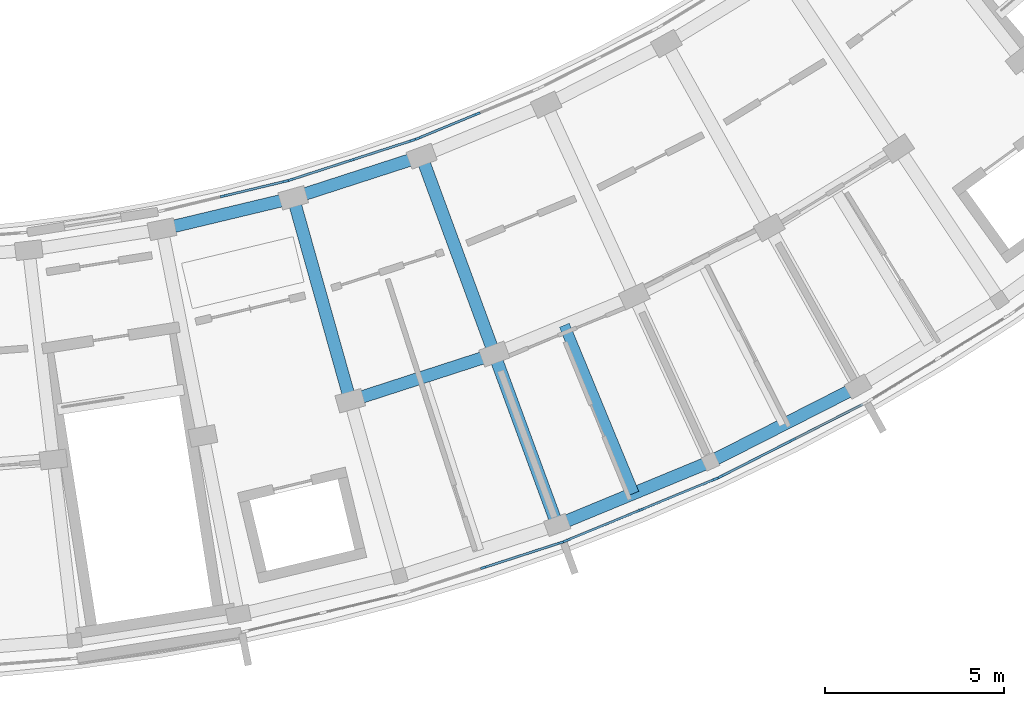
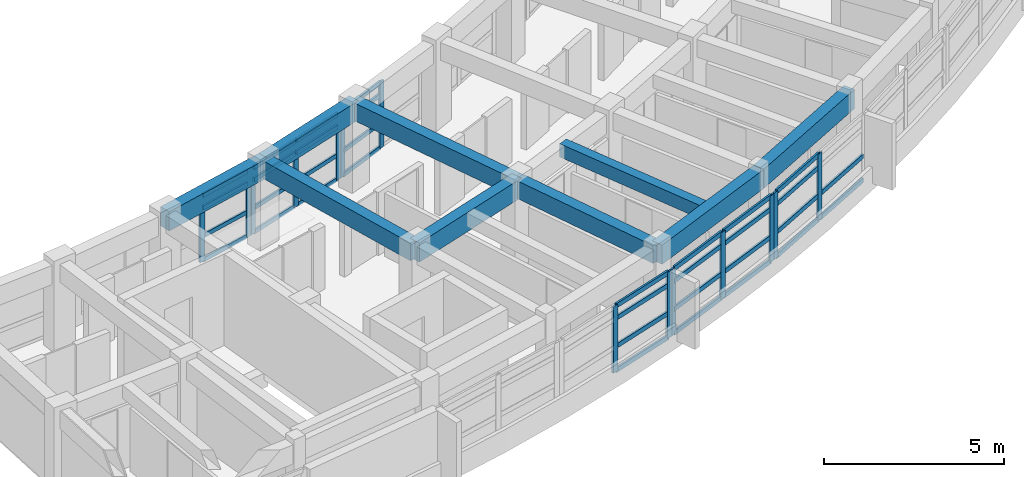
# One storey, part 17 of 54: 48 members, 9 beams, 6 elements without a shape of their own.
"""IFC4 building model written with IfcOpenShell, lengths in metres."""

import ifcopenshell
import ifcopenshell.guid

model = None  # the IFC model being written
_history = None  # IfcOwnerHistory: only IFC2X3 demands one
_inside = {}  # id of a spatial element -> (the spatial element, [elements in it])
_under = {}  # id of a project, library or spatial element -> (it, [spatial elements below it])
_declared = {}  # id of a project -> (the project, [libraries it declares])
_typed = {}  # id of a type object -> (the type object, [elements of that type])
_made_of = {}  # id of a material, layer set ... -> (it, [elements and type objects made of it])


def new_model(schema):
    """Start an empty IFC model of exactly this schema.

    Asked for "IFC4X3", IfcOpenShell would pick the latest addendum, in which some entities
    have other attributes; the version numbers below select the first issue.
    IFC2X3 requires an IfcOwnerHistory on every rooted entity: one is made here for all.
    """
    global model, _history
    if schema == "IFC4X3":
        model = ifcopenshell.file(schema_version=(4, 3, 0, 0))
    else:
        model = ifcopenshell.file(schema=schema)
    _inside.clear()
    _under.clear()
    _declared.clear()
    _typed.clear()
    _made_of.clear()
    _history = None
    if model.schema == "IFC2X3":
        org = make("IfcOrganization", Name="unknown")
        user = make(
            "IfcPersonAndOrganization",
            ThePerson=make("IfcPerson", FamilyName="unknown"),
            TheOrganization=org,
        )
        app = make(
            "IfcApplication",
            ApplicationDeveloper=org,
            Version="unknown",
            ApplicationFullName="unknown",
            ApplicationIdentifier="unknown",
        )
        _history = make(
            "IfcOwnerHistory",
            OwningUser=user,
            OwningApplication=app,
            ChangeAction="ADDED",
            CreationDate=0,
        )
    return model


def make(cls, **values):
    """One entity of the class cls with the attributes given. An attribute that is None is left unset."""
    return model.create_entity(
        cls, **{name: value for name, value in values.items() if value is not None}
    )


def rooted(cls, **values):
    """An entity with a GlobalId (a new one), such as an element, a storey or a relation."""
    return make(cls, GlobalId=ifcopenshell.guid.new(), OwnerHistory=_history, **values)


def si_unit(unit_type, name, prefix=None):
    """IfcSIUnit, for example si_unit("LENGTHUNIT", "METRE", prefix="MILLI")."""
    return make("IfcSIUnit", UnitType=unit_type, Prefix=prefix, Name=name)


def assignment(units):
    """IfcUnitAssignment: the units of a project."""
    return None if units is None else make("IfcUnitAssignment", Units=units)


def point(xyz):
    """IfcCartesianPoint."""
    return None if xyz is None else make("IfcCartesianPoint", Coordinates=xyz)


def direction(xyz):
    """IfcDirection."""
    return None if xyz is None else make("IfcDirection", DirectionRatios=xyz)


def frame(location, z_axis=None, x_axis=None):
    """IfcAxis2Placement3D, a coordinate frame: its origin and axes. An axis left out is left unset."""
    return make(
        "IfcAxis2Placement3D",
        Location=point(location),
        Axis=direction(z_axis),
        RefDirection=direction(x_axis),
    )


def frame_2d(location, x_axis=None):
    """IfcAxis2Placement2D, a coordinate frame in the plane: its origin and x axis."""
    return make(
        "IfcAxis2Placement2D", Location=point(location), RefDirection=direction(x_axis)
    )


def origin():
    """The frame at (0, 0, 0) with its axes left unset."""
    return frame((0.0, 0.0, 0.0))


def origin_2d():
    """The frame at (0, 0) in the plane with its x axis left unset."""
    return frame_2d((0.0, 0.0))


def place(relative_to, where):
    """IfcLocalPlacement: puts the frame where relative to a parent placement (None: the world)."""
    return make(
        "IfcLocalPlacement", PlacementRelTo=relative_to, RelativePlacement=where
    )


def context(
    kind, dimensions, precision=None, world=None, true_north=None, identifier=None
):
    """IfcGeometricRepresentationContext, for example the 3D "Model" context."""
    return make(
        "IfcGeometricRepresentationContext",
        ContextIdentifier=identifier,
        ContextType=kind,
        CoordinateSpaceDimension=dimensions,
        Precision=precision,
        WorldCoordinateSystem=world,
        TrueNorth=true_north,
    )


def subcontext(parent, identifier, kind, view, scale=None):
    """IfcGeometricRepresentationSubContext, for example "Body" below "Model"."""
    return make(
        "IfcGeometricRepresentationSubContext",
        ContextIdentifier=identifier,
        ContextType=kind,
        ParentContext=parent,
        TargetScale=scale,
        TargetView=view,
    )


def project(units=None, contexts=None):
    """IfcProject with its units and contexts."""
    return rooted(
        "IfcProject",
        Name="project",
        RepresentationContexts=contexts,
        UnitsInContext=assignment(units),
    )


def spatial(cls, under=None, at=None, **own):
    """A site, building, storey or space (cls), placed at a placement, below another one or the project."""
    s = rooted(cls, ObjectPlacement=at, **own)
    if under is not None:
        _under.setdefault(under.id(), (under, []))[1].append(s)
    return s


def profile(cls, at=None, kind="AREA", **sizes):
    """A parametric profile (cls). Its sizes go by their IFC names, for example OverallWidth=200.0."""
    return make(cls, ProfileType=kind, Position=at, **sizes)


def rectangle(**sizes):
    """IfcRectangleProfileDef."""
    return profile("IfcRectangleProfileDef", **sizes)


def extrude(swept, where, along, depth):
    """IfcExtrudedAreaSolid: the profile swept, set in the frame where, extruded along a direction by depth."""
    return make(
        "IfcExtrudedAreaSolid",
        SweptArea=swept,
        Position=where,
        ExtrudedDirection=direction(along),
        Depth=depth,
    )


def shape(context_of_items, identifier, shape_type, items):
    """IfcShapeRepresentation: the items that make up one representation, for example the "Body"."""
    return make(
        "IfcShapeRepresentation",
        ContextOfItems=context_of_items,
        RepresentationIdentifier=identifier,
        RepresentationType=shape_type,
        Items=items,
    )


def material(Name=None, Category=None):
    """IfcMaterial."""
    return make("IfcMaterial", Name=Name, Category=Category)


def material_profile(
    of_material, cross_section, Name=None, Category=None, Priority=None
):
    """IfcMaterialProfile: a cross section and its material."""
    return make(
        "IfcMaterialProfile",
        Name=Name,
        Material=of_material,
        Profile=cross_section,
        Priority=Priority,
        Category=Category,
    )


def profile_set(profiles, Name=None, composite=None):
    """IfcMaterialProfileSet."""
    return make(
        "IfcMaterialProfileSet",
        Name=Name,
        MaterialProfiles=profiles,
        CompositeProfile=composite,
    )


def made_of(thing, what):
    """Note that an element or type object is made of a material, layer set ...; save() writes the relation."""
    if what is not None:
        _made_of.setdefault(what.id(), (what, []))[1].append(thing)
    return thing


def type_object(cls, material=None, **own):
    """A type object (cls), such as IfcWallType, which elements share."""
    return made_of(rooted(cls, **own), material)


def element(
    cls,
    number,
    at=None,
    inside=None,
    cuts=None,
    type_object=None,
    material=None,
    context=None,
    identifier="Body",
    shape_type=None,
    held_by="IfcProductDefinitionShape",
    body=None,
    shapes=None,
    **own,
):
    """One element of the class cls, such as IfcWall. Its Tag is "e" and its number.

    at: its placement. inside: the storey or other place that contains it. cuts: it is an
    opening in that element (IfcRelVoidsElement). A single representation is given by context,
    identifier, shape_type and body (its items); several are given by shapes. held_by: the class
    of the entity that holds the representations. save() writes the other relations.
    """
    e = rooted(cls, Tag="e%d" % number, ObjectPlacement=at, **own)
    if body is not None:
        shapes = [shape(context, identifier, shape_type, body)]
    if shapes is not None:
        e.Representation = make(held_by, Representations=shapes)
    if inside is not None:
        _inside.setdefault(inside.id(), (inside, []))[1].append(e)
    if cuts is not None:
        rooted(
            "IfcRelVoidsElement", RelatingBuildingElement=cuts, RelatedOpeningElement=e
        )
    if type_object is not None:
        _typed.setdefault(type_object.id(), (type_object, []))[1].append(e)
    return made_of(e, material)


def aggregate(whole, parts):
    """IfcRelAggregates: a whole, such as a stair, and the parts it consists of."""
    return rooted("IfcRelAggregates", RelatingObject=whole, RelatedObjects=parts)


def save(model, path):
    """Write the relations noted so far, then the file.

    IfcRelAggregates (storeys below a building ...), IfcRelContainedInSpatialStructure (elements
    in a storey), IfcRelDefinesByType, IfcRelAssociatesMaterial and IfcRelDeclares: one each for
    every whole, place, type object, material and project.
    """
    for whole, parts in _under.values():
        aggregate(whole, parts)
    for where, things in _inside.values():
        rooted(
            "IfcRelContainedInSpatialStructure",
            RelatedElements=things,
            RelatingStructure=where,
        )
    for kind, things in _typed.values():
        rooted("IfcRelDefinesByType", RelatedObjects=things, RelatingType=kind)
    for what, things in _made_of.values():
        rooted("IfcRelAssociatesMaterial", RelatedObjects=things, RelatingMaterial=what)
    for by, libraries in _declared.values():
        rooted("IfcRelDeclares", RelatingContext=by, RelatedDefinitions=libraries)
    model.write(path)


model = new_model("IFC4")

# Units and contexts
model_context = context("Model", 3, precision=1e-05, world=origin(), true_north=direction((0.0, 1.0)))
body_context = subcontext(model_context, "Body", "Model", "MODEL_VIEW")
ifc_project = project(units=[si_unit("LENGTHUNIT", "METRE"), si_unit("AREAUNIT", "SQUARE_METRE"), si_unit("VOLUMEUNIT", "CUBIC_METRE"), si_unit("PLANEANGLEUNIT", "RADIAN"), si_unit("MASSUNIT", "GRAM", prefix="KILO")], contexts=[model_context])

# Site, building, storey
site_placement = place(None, origin())
site = spatial("IfcSite", under=ifc_project, at=site_placement, CompositionType="ELEMENT")
building_placement = place(site_placement, origin())
building = spatial("IfcBuilding", under=site, at=building_placement, Name="Zimvara Arc Housing Community", CompositionType="ELEMENT")
storey_placement = place(building_placement, frame((0.0, 0.0, 23.60009765625)))
storey = spatial("IfcBuildingStorey", under=building, at=storey_placement, Name="L07", CompositionType="ELEMENT", Elevation=23.60009765625)

# Beams
ifc_material_1 = material(Name="Concrete C40/50", Category="concrete")
ifc_material_profile_1 = material_profile(ifc_material_1, rectangle(XDim=0.300048828125, YDim=0.449951171875, at=origin_2d()), Name="RC 300x450")
ifc_profile_set_1 = profile_set([ifc_material_profile_1], Name="Concrete C40/50")
beam_type_1 = type_object("IfcBeamType", Name="BM-RC-300x450", PredefinedType="JOIST", material=ifc_profile_set_1)
beam_1_placement = place(storey_placement, frame((146.509033203125, 60.17578125, 2.69482421875), z_axis=(0.381881623909, -0.924211244966, 0.0), x_axis=(0.924211244966, 0.381881623909, 0.0)))
element("IfcBeam", 1, at=beam_1_placement, inside=storey, type_object=beam_type_1, Name="bm:blkD:L07:joist:b4", PredefinedType="JOIST", context=body_context, shape_type="SweptSolid", body=[
    extrude(rectangle(XDim=0.300048828125, YDim=0.449951171875, at=origin_2d()), origin(), (0.0, 0.0, 1.0), 5.076171875),
])
ifc_material_2 = material(Name="Concrete C40/50", Category="concrete")
ifc_material_profile_2 = material_profile(ifc_material_2, rectangle(XDim=0.35009765625, YDim=0.60009765625, at=origin_2d()), Name="RC 350x600")
ifc_profile_set_2 = profile_set([ifc_material_profile_2], Name="Concrete C40/50")
beam_type_2 = type_object("IfcBeamType", Name="BM-RC-350x600", PredefinedType="BEAM", material=ifc_profile_set_2)
beam_2_placement = place(storey_placement, frame((138.947265625, 63.727783203125, 2.619873046875), z_axis=(0.270589260785, -0.962694890372, 0.0), x_axis=(0.962694890372, 0.270589260785, 0.0)))
element("IfcBeam", 2, at=beam_2_placement, inside=storey, type_object=beam_type_2, Name="bm:blkD:L07:rad:b3:r12", PredefinedType="BEAM", context=body_context, shape_type="SweptSolid", body=[
    extrude(rectangle(XDim=0.35009765625, YDim=0.60009765625, at=origin_2d()), origin(), (0.0, 0.0, 1.0), 5.8798828125),
])
beam_3_placement = place(storey_placement, frame((142.526611328125, 64.887451171875, 2.619873046875), z_axis=(0.345324356241, -0.938483398354, 0.0), x_axis=(0.938483398354, 0.345324356241, 0.0)))
element("IfcBeam", 3, at=beam_3_placement, inside=storey, type_object=beam_type_2, Name="bm:blkD:L07:rad:b4:r12", PredefinedType="BEAM", context=body_context, shape_type="SweptSolid", body=[
    extrude(rectangle(XDim=0.35009765625, YDim=0.60009765625, at=origin_2d()), origin(), (0.0, 0.0, 1.0), 5.880126953125),
])
beam_4_placement = place(storey_placement, frame((144.55712890625, 59.369140625, 2.619873046875), z_axis=(0.345302219392, -0.938491543533, 0.0), x_axis=(0.938491543533, 0.345302219392, 0.0)))
element("IfcBeam", 4, at=beam_4_placement, inside=storey, type_object=beam_type_2, Name="bm:blkD:L07:rad:b4:r23", PredefinedType="BEAM", context=body_context, shape_type="SweptSolid", body=[
    extrude(rectangle(XDim=0.35009765625, YDim=0.60009765625, at=origin_2d()), origin(), (0.0, 0.0, 1.0), 5.080078125),
])
ifc_material_3 = material(Name="Concrete C40/50", Category="concrete")
ifc_material_profile_3 = material_profile(ifc_material_3, rectangle(XDim=0.35009765625, YDim=0.64990234375, at=origin_2d()), Name="RC 350x650")
ifc_profile_set_3 = profile_set([ifc_material_profile_3], Name="Concrete C40/50")
beam_type_3 = type_object("IfcBeamType", Name="BM-RC-350x650", PredefinedType="BEAM", material=ifc_profile_set_3)
beam_5_placement = place(storey_placement, frame((135.28759765625, 62.8525390625, 2.594970703125), z_axis=(0.97257251046, 0.232599896598, 0.0), x_axis=(-0.232599896598, 0.97257251046, 0.0)))
element("IfcBeam", 5, at=beam_5_placement, inside=storey, type_object=beam_type_3, Name="bm:blkD:L07:chord:r1:b2", PredefinedType="BEAM", context=body_context, shape_type="SweptSolid", body=[
    extrude(rectangle(XDim=0.35009765625, YDim=0.64990234375, at=origin_2d()), origin(), (0.0, 0.0, 1.0), 3.762939453125),
])
beam_6_placement = place(storey_placement, frame((138.947265625, 63.727783203125, 2.594970703125), z_axis=(0.951316439628, 0.308215884881, 0.0), x_axis=(-0.308215884881, 0.951316439628, 0.0)))
element("IfcBeam", 6, at=beam_6_placement, inside=storey, type_object=beam_type_3, Name="bm:blkD:L07:chord:r1:b3", PredefinedType="BEAM", context=body_context, shape_type="SweptSolid", body=[
    extrude(rectangle(XDim=0.35009765625, YDim=0.64990234375, at=origin_2d()), origin(), (0.0, 0.0, 1.0), 3.762451171875),
])
beam_7_placement = place(storey_placement, frame((140.538330078125, 58.067138671875, 2.594970703125), z_axis=(0.951319487454, 0.308206477528, 0.0), x_axis=(-0.308206477528, 0.951319487454, 0.0)))
element("IfcBeam", 7, at=beam_7_placement, inside=storey, type_object=beam_type_3, Name="bm:blkD:L07:chord:r2:b3", PredefinedType="BEAM", context=body_context, shape_type="SweptSolid", body=[
    extrude(rectangle(XDim=0.35009765625, YDim=0.64990234375, at=origin_2d()), origin(), (0.0, 0.0, 1.0), 4.224365234375),
])
beam_8_placement = place(storey_placement, frame((146.311279296875, 54.6015625, 2.594970703125), z_axis=(0.924218077134, 0.38186508861, 0.0), x_axis=(-0.38186508861, 0.924218077134, 0.0)))
element("IfcBeam", 8, at=beam_8_placement, inside=storey, type_object=beam_type_3, Name="bm:blkD:L07:chord:r3:b4", PredefinedType="BEAM", context=body_context, shape_type="SweptSolid", body=[
    extrude(rectangle(XDim=0.35009765625, YDim=0.64990234375, at=origin_2d()), origin(), (0.0, 0.0, 1.0), 4.623046875),
])
beam_9_placement = place(storey_placement, frame((150.583984375, 56.366943359375, 2.594970703125), z_axis=(0.891386215037, 0.453244542871, 0.0), x_axis=(-0.453244542871, 0.891386215037, 0.0)))
element("IfcBeam", 9, at=beam_9_placement, inside=storey, type_object=beam_type_3, Name="bm:blkD:L07:chord:r3:b5", PredefinedType="BEAM", context=body_context, shape_type="SweptSolid", body=[
    extrude(rectangle(XDim=0.35009765625, YDim=0.64990234375, at=origin_2d()), origin(), (0.0, 0.0, 1.0), 4.623291015625),
])

# Curtain wall, members
ifc_material_4 = material(Name="Anodised Aluminium AW-6063", Category="aluminium")
curtain_wall_type_1 = type_object("IfcCurtainWallType", Name="CW-SYS-02", PredefinedType="USERDEFINED", material=ifc_material_4)
curtain_wall_1_placement = place(storey_placement, origin())
curtain_wall_1 = element("IfcCurtainWall", 10, at=curtain_wall_1_placement, inside=storey, type_object=curtain_wall_type_1, Name="cw:blkD:L07:in:b2", ObjectType="CURTAIN WALL", PredefinedType="USERDEFINED")
ifc_material_5 = material(Name="Anodised Aluminium AW-6063", Category="aluminium")
ifc_material_profile_4 = material_profile(ifc_material_5, rectangle(XDim=0.06494140625, YDim=0.179931640625, at=origin_2d()), Name="ALU 65x180")
ifc_profile_set_4 = profile_set([ifc_material_profile_4], Name="Anodised Aluminium AW-6063")
member_type_1 = type_object("IfcMemberType", Name="CWM-65x150", PredefinedType="MULLION", material=ifc_profile_set_4)
member_1_placement = place(storey_placement, frame((137.001220703125, 63.776123046875, 0.0), z_axis=(0.0, 0.0, 1.0), x_axis=(-0.232597009774, 0.972573200867, 0.0)))
member_1 = element("IfcMember", 11, at=member_1_placement, type_object=member_type_1, Name="CW02 mullion 2", PredefinedType="MULLION", context=body_context, shape_type="SweptSolid", body=[
    extrude(rectangle(XDim=0.06494140625, YDim=0.179931640625, at=origin_2d()), origin(), (0.0, 0.0, 1.0), 2.25),
])
member_2_placement = place(storey_placement, frame((138.721923828125, 64.187744140625, 0.0), z_axis=(0.0, 0.0, 1.0), x_axis=(-0.232597009774, 0.972573200867, 0.0)))
member_2 = element("IfcMember", 12, at=member_2_placement, type_object=member_type_1, Name="CW02 mullion 3", PredefinedType="MULLION", context=body_context, shape_type="SweptSolid", body=[
    extrude(rectangle(XDim=0.06494140625, YDim=0.179931640625, at=origin_2d()), origin(), (0.0, 0.0, 1.0), 2.25),
])

ifc_material_6 = material(Name="Anodised Aluminium AW-6063", Category="aluminium")
curtain_wall_type_2 = type_object("IfcCurtainWallType", Name="CW-SYS-04", PredefinedType="USERDEFINED", material=ifc_material_6)
curtain_wall_2_placement = place(storey_placement, origin())
curtain_wall_2 = element("IfcCurtainWall", 13, at=curtain_wall_2_placement, inside=storey, type_object=curtain_wall_type_2, Name="cw:blkD:L07:in:b3", ObjectType="CURTAIN WALL", PredefinedType="USERDEFINED")
member_3_placement = place(storey_placement, frame((138.89990234375, 64.237548828125, 0.0), z_axis=(0.0, 0.0, 1.0), x_axis=(-0.308186526573, 0.951325950891, 0.0)))
member_3 = element("IfcMember", 14, at=member_3_placement, type_object=member_type_1, Name="CW04 mullion 1", PredefinedType="MULLION", context=body_context, shape_type="SweptSolid", body=[
    extrude(rectangle(XDim=0.06494140625, YDim=0.179931640625, at=origin_2d()), origin(), (0.0, 0.0, 1.0), 2.25),
])
member_4_placement = place(storey_placement, frame((140.5830078125, 64.782958984375, 0.0), z_axis=(0.0, 0.0, 1.0), x_axis=(-0.308186526573, 0.951325950891, 0.0)))
member_4 = element("IfcMember", 15, at=member_4_placement, type_object=member_type_1, Name="CW04 mullion 2", PredefinedType="MULLION", context=body_context, shape_type="SweptSolid", body=[
    extrude(rectangle(XDim=0.06494140625, YDim=0.179931640625, at=origin_2d()), origin(), (0.0, 0.0, 1.0), 2.25),
])
member_5_placement = place(storey_placement, frame((142.26611328125, 65.328125, 0.0), z_axis=(0.0, 0.0, 1.0), x_axis=(-0.308186526573, 0.951325950891, 0.0)))
member_5 = element("IfcMember", 16, at=member_5_placement, type_object=member_type_1, Name="CW04 mullion 3", PredefinedType="MULLION", context=body_context, shape_type="SweptSolid", body=[
    extrude(rectangle(XDim=0.06494140625, YDim=0.179931640625, at=origin_2d()), origin(), (0.0, 0.0, 1.0), 2.25),
])

ifc_material_7 = material(Name="Anodised Aluminium AW-6063", Category="aluminium")
curtain_wall_type_3 = type_object("IfcCurtainWallType", Name="CW-SYS-06", PredefinedType="USERDEFINED", material=ifc_material_7)
curtain_wall_3_placement = place(storey_placement, origin())
curtain_wall_3 = element("IfcCurtainWall", 17, at=curtain_wall_3_placement, inside=storey, type_object=curtain_wall_type_3, Name="cw:blkD:L07:in:b4", ObjectType="CURTAIN WALL", PredefinedType="USERDEFINED")
member_6_placement = place(storey_placement, frame((142.439453125, 65.39208984375, 0.0), z_axis=(0.0, 0.0, 1.0), x_axis=(-0.381878016422, 0.924212735561, 0.0)))
member_6 = element("IfcMember", 18, at=member_6_placement, type_object=member_type_1, Name="CW06 mullion 1", PredefinedType="MULLION", context=body_context, shape_type="SweptSolid", body=[
    extrude(rectangle(XDim=0.06494140625, YDim=0.179931640625, at=origin_2d()), origin(), (0.0, 0.0, 1.0), 2.25),
])
member_7_placement = place(storey_placement, frame((144.07470703125, 66.067626953125, 0.0), z_axis=(0.0, 0.0, 1.0), x_axis=(-0.381878016422, 0.924212735561, 0.0)))
member_7 = element("IfcMember", 19, at=member_7_placement, type_object=member_type_1, Name="CW06 mullion 2", PredefinedType="MULLION", context=body_context, shape_type="SweptSolid", body=[
    extrude(rectangle(XDim=0.06494140625, YDim=0.179931640625, at=origin_2d()), origin(), (0.0, 0.0, 1.0), 2.25),
])

ifc_material_8 = material(Name="Anodised Aluminium AW-6063", Category="aluminium")
curtain_wall_type_4 = type_object("IfcCurtainWallType", Name="CW-SYS-03", PredefinedType="USERDEFINED", material=ifc_material_8)
curtain_wall_4_placement = place(storey_placement, origin())
curtain_wall_4 = element("IfcCurtainWall", 20, at=curtain_wall_4_placement, inside=storey, type_object=curtain_wall_type_4, Name="cw:blkD:L07:out:b3", ObjectType="CURTAIN WALL", PredefinedType="USERDEFINED")
ifc_material_9 = material(Name="Anodised Aluminium AW-6063", Category="aluminium")
ifc_material_profile_5 = material_profile(ifc_material_9, rectangle(XDim=0.06494140625, YDim=0.195068359375, at=origin_2d()), Name="ALU 65x195")
ifc_profile_set_5 = profile_set([ifc_material_profile_5], Name="Anodised Aluminium AW-6063")
member_type_2 = type_object("IfcMemberType", Name="CWM-65x180", PredefinedType="MULLION", material=ifc_profile_set_5)
member_8_placement = place(storey_placement, frame((144.26611328125, 53.413818359375, 0.0), z_axis=(0.0, 0.0, 1.0), x_axis=(-0.308184952203, 0.951326460914, 0.0)))
member_8 = element("IfcMember", 21, at=member_8_placement, type_object=member_type_2, Name="CW03 mullion 2", PredefinedType="MULLION", context=body_context, shape_type="SweptSolid", body=[
    extrude(rectangle(XDim=0.06494140625, YDim=0.195068359375, at=origin_2d()), origin(), (0.0, 0.0, 1.0), 2.25),
])
member_9_placement = place(storey_placement, frame((146.395751953125, 54.103759765625, 0.0), z_axis=(0.0, 0.0, 1.0), x_axis=(-0.308184952203, 0.951326460914, 0.0)))
member_9 = element("IfcMember", 22, at=member_9_placement, type_object=member_type_2, Name="CW03 mullion 3", PredefinedType="MULLION", context=body_context, shape_type="SweptSolid", body=[
    extrude(rectangle(XDim=0.06494140625, YDim=0.195068359375, at=origin_2d()), origin(), (0.0, 0.0, 1.0), 2.25),
])

ifc_material_10 = material(Name="Anodised Aluminium AW-6063", Category="aluminium")
curtain_wall_type_5 = type_object("IfcCurtainWallType", Name="CW-SYS-05", PredefinedType="USERDEFINED", material=ifc_material_10)
curtain_wall_5_placement = place(storey_placement, origin())
curtain_wall_5 = element("IfcCurtainWall", 23, at=curtain_wall_5_placement, inside=storey, type_object=curtain_wall_type_5, Name="cw:blkD:L07:out:b4", ObjectType="CURTAIN WALL", PredefinedType="USERDEFINED")
member_10_placement = place(storey_placement, frame((146.5693359375, 54.167724609375, 0.0), z_axis=(0.0, 0.0, 1.0), x_axis=(-0.38187646221, 0.924213377749, 0.0)))
member_10 = element("IfcMember", 24, at=member_10_placement, type_object=member_type_2, Name="CW05 mullion 1", PredefinedType="MULLION", context=body_context, shape_type="SweptSolid", body=[
    extrude(rectangle(XDim=0.06494140625, YDim=0.195068359375, at=origin_2d()), origin(), (0.0, 0.0, 1.0), 2.25),
])
member_11_placement = place(storey_placement, frame((148.638427734375, 55.0224609375, 0.0), z_axis=(0.0, 0.0, 1.0), x_axis=(-0.38187646221, 0.924213377749, 0.0)))
member_11 = element("IfcMember", 25, at=member_11_placement, type_object=member_type_2, Name="CW05 mullion 2", PredefinedType="MULLION", context=body_context, shape_type="SweptSolid", body=[
    extrude(rectangle(XDim=0.06494140625, YDim=0.195068359375, at=origin_2d()), origin(), (0.0, 0.0, 1.0), 2.25),
])
member_12_placement = place(storey_placement, frame((150.70751953125, 55.87744140625, 0.0), z_axis=(0.0, 0.0, 1.0), x_axis=(-0.38187646221, 0.924213377749, 0.0)))
member_12 = element("IfcMember", 26, at=member_12_placement, type_object=member_type_2, Name="CW05 mullion 3", PredefinedType="MULLION", context=body_context, shape_type="SweptSolid", body=[
    extrude(rectangle(XDim=0.06494140625, YDim=0.195068359375, at=origin_2d()), origin(), (0.0, 0.0, 1.0), 2.25),
])

ifc_material_11 = material(Name="Anodised Aluminium AW-6063", Category="aluminium")
curtain_wall_type_6 = type_object("IfcCurtainWallType", Name="CW-SYS-07", PredefinedType="USERDEFINED", material=ifc_material_11)
curtain_wall_6_placement = place(storey_placement, origin())
curtain_wall_6 = element("IfcCurtainWall", 27, at=curtain_wall_6_placement, inside=storey, type_object=curtain_wall_type_6, Name="cw:blkD:L07:out:b5", ObjectType="CURTAIN WALL", PredefinedType="USERDEFINED")
member_13_placement = place(storey_placement, frame((150.87548828125, 55.95458984375, 0.0), z_axis=(0.0, 0.0, 1.0), x_axis=(-0.453211662605, 0.891402932954, 0.0)))
member_13 = element("IfcMember", 28, at=member_13_placement, type_object=member_type_2, Name="CW07 mullion 1", PredefinedType="MULLION", context=body_context, shape_type="SweptSolid", body=[
    extrude(rectangle(XDim=0.06494140625, YDim=0.195068359375, at=origin_2d()), origin(), (0.0, 0.0, 1.0), 2.25),
])
member_14_placement = place(storey_placement, frame((152.87109375, 56.96923828125, 0.0), z_axis=(0.0, 0.0, 1.0), x_axis=(-0.453211662605, 0.891402932954, 0.0)))
member_14 = element("IfcMember", 29, at=member_14_placement, type_object=member_type_2, Name="CW07 mullion 2", PredefinedType="MULLION", context=body_context, shape_type="SweptSolid", body=[
    extrude(rectangle(XDim=0.06494140625, YDim=0.195068359375, at=origin_2d()), origin(), (0.0, 0.0, 1.0), 2.25),
])

# Member
ifc_material_12 = material(Name="Anodised Aluminium AW-6063", Category="aluminium")
ifc_material_profile_6 = material_profile(ifc_material_12, rectangle(XDim=0.06494140625, YDim=0.139892578125, at=origin_2d()), Name="ALU 65x140")
ifc_profile_set_6 = profile_set([ifc_material_profile_6], Name="Anodised Aluminium AW-6063")
member_type_3 = type_object("IfcMemberType", Name="CWT-65x120", PredefinedType="USERDEFINED", material=ifc_profile_set_6)
member_15_placement = place(storey_placement, frame((137.032958984375, 63.78369140625, 0.032470703125), z_axis=(0.972553522856, 0.232679275356, 0.0), x_axis=(-0.232679275356, 0.972553522856, 0.0)))
member_15 = element("IfcMember", 30, at=member_15_placement, type_object=member_type_3, Name="CW02 transom 2.1", ObjectType="TRANSOM", PredefinedType="USERDEFINED", context=body_context, shape_type="SweptSolid", body=[
    extrude(rectangle(XDim=0.06494140625, YDim=0.139892578125, at=origin_2d()), origin(), (0.0, 0.0, 1.0), 1.7041015625),
])

member_16_placement = place(storey_placement, frame((137.032958984375, 63.78369140625, 0.849853515625), z_axis=(0.972553522856, 0.232679275356, 0.0), x_axis=(-0.232679275356, 0.972553522856, 0.0)))
member_16 = element("IfcMember", 31, at=member_16_placement, type_object=member_type_3, Name="CW02 transom 2.2", ObjectType="TRANSOM", PredefinedType="USERDEFINED", context=body_context, shape_type="SweptSolid", body=[
    extrude(rectangle(XDim=0.06494140625, YDim=0.139892578125, at=origin_2d()), origin(), (0.0, 0.0, 1.0), 1.7041015625),
])

member_17_placement = place(storey_placement, frame((137.032958984375, 63.78369140625, 1.7998046875), z_axis=(0.972553522856, 0.232679275356, 0.0), x_axis=(-0.232679275356, 0.972553522856, 0.0)))
member_17 = element("IfcMember", 32, at=member_17_placement, type_object=member_type_3, Name="CW02 transom 2.3", ObjectType="TRANSOM", PredefinedType="USERDEFINED", context=body_context, shape_type="SweptSolid", body=[
    extrude(rectangle(XDim=0.06494140625, YDim=0.139892578125, at=origin_2d()), origin(), (0.0, 0.0, 1.0), 1.7041015625),
])

member_18_placement = place(storey_placement, frame((137.032958984375, 63.78369140625, 2.21728515625), z_axis=(0.972553522856, 0.232679275356, 0.0), x_axis=(-0.232679275356, 0.972553522856, 0.0)))
member_18 = element("IfcMember", 33, at=member_18_placement, type_object=member_type_3, Name="CW02 transom 2.4", ObjectType="TRANSOM", PredefinedType="USERDEFINED", context=body_context, shape_type="SweptSolid", body=[
    extrude(rectangle(XDim=0.06494140625, YDim=0.139892578125, at=origin_2d()), origin(), (0.0, 0.0, 1.0), 1.7041015625),
])

aggregate(curtain_wall_1, [member_1, member_2, member_15, member_16, member_17, member_18])

member_19_placement = place(storey_placement, frame((138.930908203125, 64.247802734375, 0.032470703125), z_axis=(0.95132844189, 0.308178837124, 0.0), x_axis=(-0.308178837124, 0.95132844189, 0.0)))
member_19 = element("IfcMember", 34, at=member_19_placement, type_object=member_type_3, Name="CW04 transom 1.1", ObjectType="TRANSOM", PredefinedType="USERDEFINED", context=body_context, shape_type="SweptSolid", body=[
    extrude(rectangle(XDim=0.06494140625, YDim=0.139892578125, at=origin_2d()), origin(), (0.0, 0.0, 1.0), 1.7041015625),
])

member_20_placement = place(storey_placement, frame((138.930908203125, 64.247802734375, 0.849853515625), z_axis=(0.95132844189, 0.308178837124, 0.0), x_axis=(-0.308178837124, 0.95132844189, 0.0)))
member_20 = element("IfcMember", 35, at=member_20_placement, type_object=member_type_3, Name="CW04 transom 1.2", ObjectType="TRANSOM", PredefinedType="USERDEFINED", context=body_context, shape_type="SweptSolid", body=[
    extrude(rectangle(XDim=0.06494140625, YDim=0.139892578125, at=origin_2d()), origin(), (0.0, 0.0, 1.0), 1.7041015625),
])

member_21_placement = place(storey_placement, frame((138.930908203125, 64.247802734375, 1.7998046875), z_axis=(0.95132844189, 0.308178837124, 0.0), x_axis=(-0.308178837124, 0.95132844189, 0.0)))
member_21 = element("IfcMember", 36, at=member_21_placement, type_object=member_type_3, Name="CW04 transom 1.3", ObjectType="TRANSOM", PredefinedType="USERDEFINED", context=body_context, shape_type="SweptSolid", body=[
    extrude(rectangle(XDim=0.06494140625, YDim=0.139892578125, at=origin_2d()), origin(), (0.0, 0.0, 1.0), 1.7041015625),
])

member_22_placement = place(storey_placement, frame((138.930908203125, 64.247802734375, 2.21728515625), z_axis=(0.95132844189, 0.308178837124, 0.0), x_axis=(-0.308178837124, 0.95132844189, 0.0)))
member_22 = element("IfcMember", 37, at=member_22_placement, type_object=member_type_3, Name="CW04 transom 1.4", ObjectType="TRANSOM", PredefinedType="USERDEFINED", context=body_context, shape_type="SweptSolid", body=[
    extrude(rectangle(XDim=0.06494140625, YDim=0.139892578125, at=origin_2d()), origin(), (0.0, 0.0, 1.0), 1.7041015625),
])

member_23_placement = place(storey_placement, frame((140.61376953125, 64.79296875, 0.032470703125), z_axis=(0.951342046285, 0.30813683806, 0.0), x_axis=(-0.30813683806, 0.951342046285, 0.0)))
member_23 = element("IfcMember", 38, at=member_23_placement, type_object=member_type_3, Name="CW04 transom 2.1", ObjectType="TRANSOM", PredefinedType="USERDEFINED", context=body_context, shape_type="SweptSolid", body=[
    extrude(rectangle(XDim=0.06494140625, YDim=0.139892578125, at=origin_2d()), origin(), (0.0, 0.0, 1.0), 1.704345703125),
])

member_24_placement = place(storey_placement, frame((140.61376953125, 64.79296875, 0.849853515625), z_axis=(0.951342046285, 0.30813683806, 0.0), x_axis=(-0.30813683806, 0.951342046285, 0.0)))
member_24 = element("IfcMember", 39, at=member_24_placement, type_object=member_type_3, Name="CW04 transom 2.2", ObjectType="TRANSOM", PredefinedType="USERDEFINED", context=body_context, shape_type="SweptSolid", body=[
    extrude(rectangle(XDim=0.06494140625, YDim=0.139892578125, at=origin_2d()), origin(), (0.0, 0.0, 1.0), 1.704345703125),
])

member_25_placement = place(storey_placement, frame((140.61376953125, 64.79296875, 1.7998046875), z_axis=(0.951342046285, 0.30813683806, 0.0), x_axis=(-0.30813683806, 0.951342046285, 0.0)))
member_25 = element("IfcMember", 40, at=member_25_placement, type_object=member_type_3, Name="CW04 transom 2.3", ObjectType="TRANSOM", PredefinedType="USERDEFINED", context=body_context, shape_type="SweptSolid", body=[
    extrude(rectangle(XDim=0.06494140625, YDim=0.139892578125, at=origin_2d()), origin(), (0.0, 0.0, 1.0), 1.704345703125),
])

member_26_placement = place(storey_placement, frame((140.61376953125, 64.79296875, 2.21728515625), z_axis=(0.951342046285, 0.30813683806, 0.0), x_axis=(-0.30813683806, 0.951342046285, 0.0)))
member_26 = element("IfcMember", 41, at=member_26_placement, type_object=member_type_3, Name="CW04 transom 2.4", ObjectType="TRANSOM", PredefinedType="USERDEFINED", context=body_context, shape_type="SweptSolid", body=[
    extrude(rectangle(XDim=0.06494140625, YDim=0.139892578125, at=origin_2d()), origin(), (0.0, 0.0, 1.0), 1.704345703125),
])

aggregate(curtain_wall_2, [member_3, member_4, member_5, member_19, member_20, member_21, member_22, member_23, member_24, member_25, member_26])

member_27_placement = place(storey_placement, frame((142.469482421875, 65.404296875, 0.032470703125), z_axis=(0.924208677137, 0.381887838383, 0.0), x_axis=(-0.381887838383, 0.924208677137, 0.0)))
member_27 = element("IfcMember", 42, at=member_27_placement, type_object=member_type_3, Name="CW06 transom 1.1", ObjectType="TRANSOM", PredefinedType="USERDEFINED", context=body_context, shape_type="SweptSolid", body=[
    extrude(rectangle(XDim=0.06494140625, YDim=0.139892578125, at=origin_2d()), origin(), (0.0, 0.0, 1.0), 1.704345703125),
])

member_28_placement = place(storey_placement, frame((142.469482421875, 65.404296875, 0.849853515625), z_axis=(0.924208677137, 0.381887838383, 0.0), x_axis=(-0.381887838383, 0.924208677137, 0.0)))
member_28 = element("IfcMember", 43, at=member_28_placement, type_object=member_type_3, Name="CW06 transom 1.2", ObjectType="TRANSOM", PredefinedType="USERDEFINED", context=body_context, shape_type="SweptSolid", body=[
    extrude(rectangle(XDim=0.06494140625, YDim=0.139892578125, at=origin_2d()), origin(), (0.0, 0.0, 1.0), 1.704345703125),
])

member_29_placement = place(storey_placement, frame((142.469482421875, 65.404296875, 1.7998046875), z_axis=(0.924208677137, 0.381887838383, 0.0), x_axis=(-0.381887838383, 0.924208677137, 0.0)))
member_29 = element("IfcMember", 44, at=member_29_placement, type_object=member_type_3, Name="CW06 transom 1.3", ObjectType="TRANSOM", PredefinedType="USERDEFINED", context=body_context, shape_type="SweptSolid", body=[
    extrude(rectangle(XDim=0.06494140625, YDim=0.139892578125, at=origin_2d()), origin(), (0.0, 0.0, 1.0), 1.704345703125),
])

member_30_placement = place(storey_placement, frame((142.469482421875, 65.404296875, 2.21728515625), z_axis=(0.924208677137, 0.381887838383, 0.0), x_axis=(-0.381887838383, 0.924208677137, 0.0)))
member_30 = element("IfcMember", 45, at=member_30_placement, type_object=member_type_3, Name="CW06 transom 1.4", ObjectType="TRANSOM", PredefinedType="USERDEFINED", context=body_context, shape_type="SweptSolid", body=[
    extrude(rectangle(XDim=0.06494140625, YDim=0.139892578125, at=origin_2d()), origin(), (0.0, 0.0, 1.0), 1.704345703125),
])

aggregate(curtain_wall_3, [member_6, member_7, member_27, member_28, member_29, member_30])

ifc_material_13 = material(Name="Anodised Aluminium AW-6063", Category="aluminium")
ifc_material_profile_7 = material_profile(ifc_material_13, rectangle(XDim=0.06494140625, YDim=0.155029296875, at=origin_2d()), Name="ALU 65x155")
ifc_profile_set_7 = profile_set([ifc_material_profile_7], Name="Anodised Aluminium AW-6063")
member_type_4 = type_object("IfcMemberType", Name="CWT-65x140", PredefinedType="USERDEFINED", material=ifc_profile_set_7)
member_31_placement = place(storey_placement, frame((144.296875, 53.423828125, 0.032470703125), z_axis=(0.951333207036, 0.308164127034, 0.0), x_axis=(-0.308164127034, 0.951333207036, 0.0)))
member_31 = element("IfcMember", 46, at=member_31_placement, type_object=member_type_4, Name="CW03 transom 2.1", ObjectType="TRANSOM", PredefinedType="USERDEFINED", context=body_context, shape_type="SweptSolid", body=[
    extrude(rectangle(XDim=0.06494140625, YDim=0.155029296875, at=origin_2d()), origin(), (0.0, 0.0, 1.0), 2.173828125),
])

member_32_placement = place(storey_placement, frame((144.296875, 53.423828125, 0.849853515625), z_axis=(0.951333207036, 0.308164127034, 0.0), x_axis=(-0.308164127034, 0.951333207036, 0.0)))
member_32 = element("IfcMember", 47, at=member_32_placement, type_object=member_type_4, Name="CW03 transom 2.2", ObjectType="TRANSOM", PredefinedType="USERDEFINED", context=body_context, shape_type="SweptSolid", body=[
    extrude(rectangle(XDim=0.06494140625, YDim=0.155029296875, at=origin_2d()), origin(), (0.0, 0.0, 1.0), 2.173828125),
])

member_33_placement = place(storey_placement, frame((144.296875, 53.423828125, 1.7998046875), z_axis=(0.951333207036, 0.308164127034, 0.0), x_axis=(-0.308164127034, 0.951333207036, 0.0)))
member_33 = element("IfcMember", 48, at=member_33_placement, type_object=member_type_4, Name="CW03 transom 2.3", ObjectType="TRANSOM", PredefinedType="USERDEFINED", context=body_context, shape_type="SweptSolid", body=[
    extrude(rectangle(XDim=0.06494140625, YDim=0.155029296875, at=origin_2d()), origin(), (0.0, 0.0, 1.0), 2.173828125),
])

member_34_placement = place(storey_placement, frame((144.296875, 53.423828125, 2.21728515625), z_axis=(0.951333207036, 0.308164127034, 0.0), x_axis=(-0.308164127034, 0.951333207036, 0.0)))
member_34 = element("IfcMember", 49, at=member_34_placement, type_object=member_type_4, Name="CW03 transom 2.4", ObjectType="TRANSOM", PredefinedType="USERDEFINED", context=body_context, shape_type="SweptSolid", body=[
    extrude(rectangle(XDim=0.06494140625, YDim=0.155029296875, at=origin_2d()), origin(), (0.0, 0.0, 1.0), 2.173828125),
])

aggregate(curtain_wall_4, [member_8, member_9, member_31, member_32, member_33, member_34])

member_35_placement = place(storey_placement, frame((146.599365234375, 54.179931640625, 0.032470703125), z_axis=(0.924219207316, 0.381862353248, 0.0), x_axis=(-0.381862353248, 0.924219207316, 0.0)))
member_35 = element("IfcMember", 50, at=member_35_placement, type_object=member_type_4, Name="CW05 transom 1.1", ObjectType="TRANSOM", PredefinedType="USERDEFINED", context=body_context, shape_type="SweptSolid", body=[
    extrude(rectangle(XDim=0.06494140625, YDim=0.155029296875, at=origin_2d()), origin(), (0.0, 0.0, 1.0), 2.173828125),
])

member_36_placement = place(storey_placement, frame((146.599365234375, 54.179931640625, 0.849853515625), z_axis=(0.924219207316, 0.381862353248, 0.0), x_axis=(-0.381862353248, 0.924219207316, 0.0)))
member_36 = element("IfcMember", 51, at=member_36_placement, type_object=member_type_4, Name="CW05 transom 1.2", ObjectType="TRANSOM", PredefinedType="USERDEFINED", context=body_context, shape_type="SweptSolid", body=[
    extrude(rectangle(XDim=0.06494140625, YDim=0.155029296875, at=origin_2d()), origin(), (0.0, 0.0, 1.0), 2.173828125),
])

member_37_placement = place(storey_placement, frame((146.599365234375, 54.179931640625, 1.7998046875), z_axis=(0.924219207316, 0.381862353248, 0.0), x_axis=(-0.381862353248, 0.924219207316, 0.0)))
member_37 = element("IfcMember", 52, at=member_37_placement, type_object=member_type_4, Name="CW05 transom 1.3", ObjectType="TRANSOM", PredefinedType="USERDEFINED", context=body_context, shape_type="SweptSolid", body=[
    extrude(rectangle(XDim=0.06494140625, YDim=0.155029296875, at=origin_2d()), origin(), (0.0, 0.0, 1.0), 2.173828125),
])

member_38_placement = place(storey_placement, frame((146.599365234375, 54.179931640625, 2.21728515625), z_axis=(0.924219207316, 0.381862353248, 0.0), x_axis=(-0.381862353248, 0.924219207316, 0.0)))
member_38 = element("IfcMember", 53, at=member_38_placement, type_object=member_type_4, Name="CW05 transom 1.4", ObjectType="TRANSOM", PredefinedType="USERDEFINED", context=body_context, shape_type="SweptSolid", body=[
    extrude(rectangle(XDim=0.06494140625, YDim=0.155029296875, at=origin_2d()), origin(), (0.0, 0.0, 1.0), 2.173828125),
])

member_39_placement = place(storey_placement, frame((148.66845703125, 55.034912109375, 0.032470703125), z_axis=(0.924219207316, 0.381862353248, 0.0), x_axis=(-0.381862353248, 0.924219207316, 0.0)))
member_39 = element("IfcMember", 54, at=member_39_placement, type_object=member_type_4, Name="CW05 transom 2.1", ObjectType="TRANSOM", PredefinedType="USERDEFINED", context=body_context, shape_type="SweptSolid", body=[
    extrude(rectangle(XDim=0.06494140625, YDim=0.155029296875, at=origin_2d()), origin(), (0.0, 0.0, 1.0), 2.173828125),
])

member_40_placement = place(storey_placement, frame((148.66845703125, 55.034912109375, 0.849853515625), z_axis=(0.924219207316, 0.381862353248, 0.0), x_axis=(-0.381862353248, 0.924219207316, 0.0)))
member_40 = element("IfcMember", 55, at=member_40_placement, type_object=member_type_4, Name="CW05 transom 2.2", ObjectType="TRANSOM", PredefinedType="USERDEFINED", context=body_context, shape_type="SweptSolid", body=[
    extrude(rectangle(XDim=0.06494140625, YDim=0.155029296875, at=origin_2d()), origin(), (0.0, 0.0, 1.0), 2.173828125),
])

member_41_placement = place(storey_placement, frame((148.66845703125, 55.034912109375, 1.7998046875), z_axis=(0.924219207316, 0.381862353248, 0.0), x_axis=(-0.381862353248, 0.924219207316, 0.0)))
member_41 = element("IfcMember", 56, at=member_41_placement, type_object=member_type_4, Name="CW05 transom 2.3", ObjectType="TRANSOM", PredefinedType="USERDEFINED", context=body_context, shape_type="SweptSolid", body=[
    extrude(rectangle(XDim=0.06494140625, YDim=0.155029296875, at=origin_2d()), origin(), (0.0, 0.0, 1.0), 2.173828125),
])

member_42_placement = place(storey_placement, frame((148.66845703125, 55.034912109375, 2.21728515625), z_axis=(0.924219207316, 0.381862353248, 0.0), x_axis=(-0.381862353248, 0.924219207316, 0.0)))
member_42 = element("IfcMember", 57, at=member_42_placement, type_object=member_type_4, Name="CW05 transom 2.4", ObjectType="TRANSOM", PredefinedType="USERDEFINED", context=body_context, shape_type="SweptSolid", body=[
    extrude(rectangle(XDim=0.06494140625, YDim=0.155029296875, at=origin_2d()), origin(), (0.0, 0.0, 1.0), 2.173828125),
])

aggregate(curtain_wall_5, [member_10, member_11, member_12, member_35, member_36, member_37, member_38, member_39, member_40, member_41, member_42])

member_43_placement = place(storey_placement, frame((150.904296875, 55.969482421875, 0.032470703125), z_axis=(0.891419736395, 0.453178611107, 0.0), x_axis=(-0.453178611107, 0.891419736395, 0.0)))
member_43 = element("IfcMember", 58, at=member_43_placement, type_object=member_type_4, Name="CW07 transom 1.1", ObjectType="TRANSOM", PredefinedType="USERDEFINED", context=body_context, shape_type="SweptSolid", body=[
    extrude(rectangle(XDim=0.06494140625, YDim=0.155029296875, at=origin_2d()), origin(), (0.0, 0.0, 1.0), 2.173828125),
])

member_44_placement = place(storey_placement, frame((150.904296875, 55.969482421875, 0.849853515625), z_axis=(0.891419736395, 0.453178611107, 0.0), x_axis=(-0.453178611107, 0.891419736395, 0.0)))
member_44 = element("IfcMember", 59, at=member_44_placement, type_object=member_type_4, Name="CW07 transom 1.2", ObjectType="TRANSOM", PredefinedType="USERDEFINED", context=body_context, shape_type="SweptSolid", body=[
    extrude(rectangle(XDim=0.06494140625, YDim=0.155029296875, at=origin_2d()), origin(), (0.0, 0.0, 1.0), 2.173828125),
])

member_45_placement = place(storey_placement, frame((150.904296875, 55.969482421875, 1.7998046875), z_axis=(0.891419736395, 0.453178611107, 0.0), x_axis=(-0.453178611107, 0.891419736395, 0.0)))
member_45 = element("IfcMember", 60, at=member_45_placement, type_object=member_type_4, Name="CW07 transom 1.3", ObjectType="TRANSOM", PredefinedType="USERDEFINED", context=body_context, shape_type="SweptSolid", body=[
    extrude(rectangle(XDim=0.06494140625, YDim=0.155029296875, at=origin_2d()), origin(), (0.0, 0.0, 1.0), 2.173828125),
])

member_46_placement = place(storey_placement, frame((150.904296875, 55.969482421875, 2.21728515625), z_axis=(0.891419736395, 0.453178611107, 0.0), x_axis=(-0.453178611107, 0.891419736395, 0.0)))
member_46 = element("IfcMember", 61, at=member_46_placement, type_object=member_type_4, Name="CW07 transom 1.4", ObjectType="TRANSOM", PredefinedType="USERDEFINED", context=body_context, shape_type="SweptSolid", body=[
    extrude(rectangle(XDim=0.06494140625, YDim=0.155029296875, at=origin_2d()), origin(), (0.0, 0.0, 1.0), 2.173828125),
])

member_47_placement = place(storey_placement, frame((152.89990234375, 56.984130859375, 0.032470703125), z_axis=(0.891419736395, 0.453178611107, 0.0), x_axis=(-0.453178611107, 0.891419736395, 0.0)))
member_47 = element("IfcMember", 62, at=member_47_placement, type_object=member_type_4, Name="CW07 transom 2.1", ObjectType="TRANSOM", PredefinedType="USERDEFINED", context=body_context, shape_type="SweptSolid", body=[
    extrude(rectangle(XDim=0.06494140625, YDim=0.155029296875, at=origin_2d()), origin(), (0.0, 0.0, 1.0), 2.173828125),
])

member_48_placement = place(storey_placement, frame((152.89990234375, 56.984130859375, 0.849853515625), z_axis=(0.891419736395, 0.453178611107, 0.0), x_axis=(-0.453178611107, 0.891419736395, 0.0)))
member_48 = element("IfcMember", 63, at=member_48_placement, type_object=member_type_4, Name="CW07 transom 2.2", ObjectType="TRANSOM", PredefinedType="USERDEFINED", context=body_context, shape_type="SweptSolid", body=[
    extrude(rectangle(XDim=0.06494140625, YDim=0.155029296875, at=origin_2d()), origin(), (0.0, 0.0, 1.0), 2.173828125),
])

aggregate(curtain_wall_6, [member_13, member_14, member_43, member_44, member_45, member_46, member_47, member_48])

save(model, "model.ifc")
